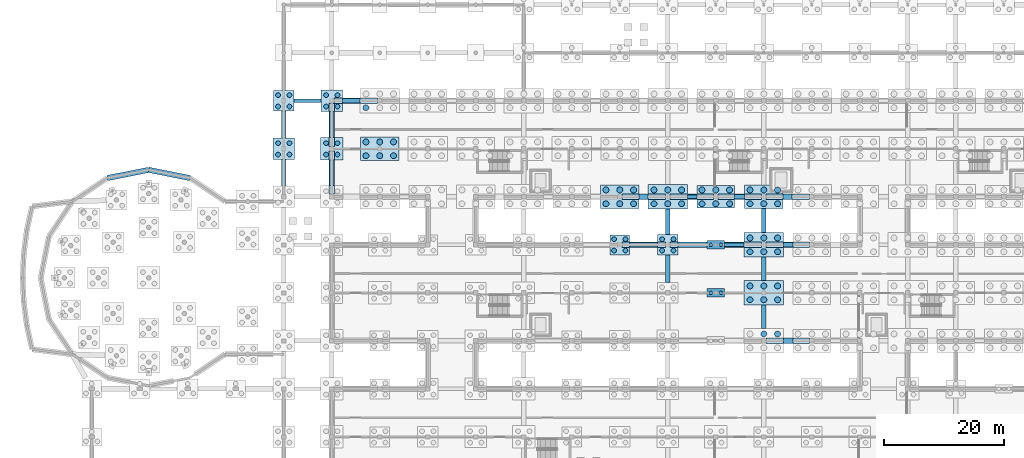
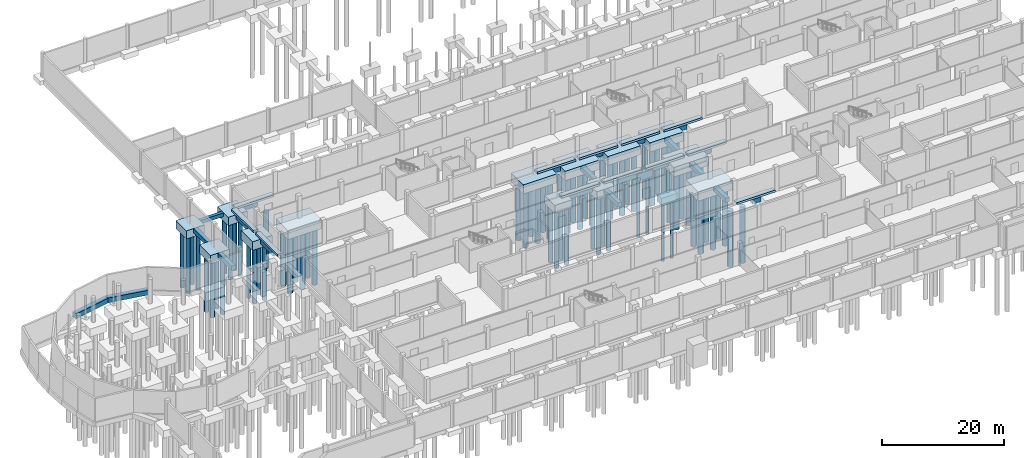
# One storey, part 7 of 51: 73 piles, 49 footings.
"""IFC4 building model written with IfcOpenShell, lengths in metres."""

from ifc_helpers import new_model, si_unit, direction, frame, origin, origin_2d, place, context, subcontext, project, spatial, rectangle, circle, extrude, material, material_profile, profile_set, type_object, element, save


model = new_model("IFC4")

# Units and contexts
model_context = context("Model", 3, precision=1e-05, world=origin(), true_north=direction((0.0, 1.0)))
body_context = subcontext(model_context, "Body", "Model", "MODEL_VIEW")
ifc_project = project(units=[si_unit("LENGTHUNIT", "METRE"), si_unit("AREAUNIT", "SQUARE_METRE"), si_unit("VOLUMEUNIT", "CUBIC_METRE"), si_unit("PLANEANGLEUNIT", "RADIAN"), si_unit("MASSUNIT", "GRAM", prefix="KILO")], contexts=[model_context])

# Site, building, storey
site_placement = place(None, origin())
site = spatial("IfcSite", under=ifc_project, at=site_placement, CompositionType="ELEMENT")
building_placement = place(site_placement, origin())
building = spatial("IfcBuilding", under=site, at=building_placement, Name="Jelvoka-Kovrelna Polytechnic", CompositionType="ELEMENT")
storey_placement = place(building_placement, frame((0.0, 0.0, -4.5)))
storey = spatial("IfcBuildingStorey", under=building, at=storey_placement, Name="B01", CompositionType="ELEMENT", Elevation=-4.5)

# Footings
ifc_material_1 = material(Name="Concrete C35/45", Category="concrete")
footing_type_1 = type_object("IfcFootingType", Name="Footing_PileCap_PC2B", PredefinedType="PILE_CAP", material=ifc_material_1)
for number, where, z_axis, x_axis, name in (
    (1, (120.0, 40.0, -1.85498046875), (0.0, 0.0, 1.0), (1.0, 0.0, 0.0), "Bored pile cap 118 (PC-2)"),
    (2, (120.0, 48.0, -1.85498046875), (0.0, 0.0, 1.0), (1.0, 0.0, 0.0), "Bored pile cap 142 (PC-2)"),
):
    element("IfcFooting", number, at=place(storey_placement, frame(where, z_axis=z_axis, x_axis=x_axis)), inside=storey, type_object=footing_type_1, Name=name, PredefinedType="PILE_CAP", context=body_context, shape_type="SweptSolid", body=[
        extrude(rectangle(XDim=2.949951171875, YDim=1.449951171875, at=origin_2d()), origin(), (0.0, 0.0, 1.0), 1.449951171875),
    ])
ifc_material_2 = material(Name="Concrete C35/45", Category="concrete")
footing_type_2 = type_object("IfcFootingType", Name="Footing_PileCap_PC4A", PredefinedType="PILE_CAP", material=ifc_material_2)
footing_1_placement = place(storey_placement, frame((104.0, 48.0, -2.005126953125), z_axis=(0.0, 0.0, 1.0), x_axis=(1.0, 0.0, 0.0)))
element("IfcFooting", 3, at=footing_1_placement, inside=storey, type_object=footing_type_2, Name="Bored pile cap 140 (PC-4)", PredefinedType="PILE_CAP", context=body_context, shape_type="SweptSolid", body=[
    extrude(rectangle(XDim=3.300048828125, YDim=3.300048828125, at=origin_2d()), origin(), (0.0, 0.0, 1.0), 1.60009765625),
])
ifc_material_3 = material(Name="Concrete C35/45", Category="concrete")
footing_type_3 = type_object("IfcFootingType", Name="Footing_PileCap_PC4B", PredefinedType="PILE_CAP", material=ifc_material_3)
for number, where, z_axis, x_axis, name in (
    (4, (112.0, 48.0, -2.054931640625), (0.0, 0.0, 1.0), (1.0, 0.0, 0.0), "Bored pile cap 141 (PC-4)"),
    (5, (48.0, 72.0, -2.054931640625), (0.0, 0.0, 1.0), (1.0, 0.0, 0.0), "Bored pile cap 201 (PC-4)"),
):
    element("IfcFooting", number, at=place(storey_placement, frame(where, z_axis=z_axis, x_axis=x_axis)), inside=storey, type_object=footing_type_3, Name=name, PredefinedType="PILE_CAP", context=body_context, shape_type="SweptSolid", body=[
        extrude(rectangle(XDim=3.449951171875, YDim=3.449951171875, at=origin_2d()), origin(), (0.0, 0.0, 1.0), 1.64990234375),
    ])
ifc_material_4 = material(Name="Concrete C35/45", Category="concrete")
footing_type_4 = type_object("IfcFootingType", Name="Footing_PileCap_PC4C", PredefinedType="PILE_CAP", material=ifc_material_4)
for number, where, z_axis, x_axis, name in (
    (6, (48.0, 64.0, -2.10498046875), (0.0, 0.0, 1.0), (1.0, 0.0, 0.0), "Bored pile cap 182 (PC-4)"),
    (7, (56.0, 72.0, -2.10498046875), (0.0, 0.0, 1.0), (1.0, 0.0, 0.0), "Bored pile cap 202 (PC-4)"),
):
    element("IfcFooting", number, at=place(storey_placement, frame(where, z_axis=z_axis, x_axis=x_axis)), inside=storey, type_object=footing_type_4, Name=name, PredefinedType="PILE_CAP", context=body_context, shape_type="SweptSolid", body=[
        extrude(rectangle(XDim=3.60009765625, YDim=3.60009765625, at=origin_2d()), origin(), (0.0, 0.0, 1.0), 1.699951171875),
    ])
ifc_material_5 = material(Name="Concrete C35/45", Category="concrete")
footing_type_5 = type_object("IfcFootingType", Name="Footing_PileCap_PC4D", PredefinedType="PILE_CAP", material=ifc_material_5)
footing_2_placement = place(storey_placement, frame((56.0, 64.0, -2.155029296875), z_axis=(0.0, 0.0, 1.0), x_axis=(1.0, 0.0, 0.0)))
element("IfcFooting", 8, at=footing_2_placement, inside=storey, type_object=footing_type_5, Name="Bored pile cap 183 (PC-4)", PredefinedType="PILE_CAP", context=body_context, shape_type="SweptSolid", body=[
    extrude(rectangle(XDim=3.75, YDim=3.75, at=origin_2d()), origin(), (0.0, 0.0, 1.0), 1.75),
])
ifc_material_6 = material(Name="Concrete C35/45", Category="concrete")
footing_type_6 = type_object("IfcFootingType", Name="Footing_PileCap_PC6A", PredefinedType="PILE_CAP", material=ifc_material_6)
footing_3_placement = place(storey_placement, frame((120.0, 56.0, -2.205078125), z_axis=(0.0, 0.0, 1.0), x_axis=(1.0, 0.0, 0.0)))
element("IfcFooting", 9, at=footing_3_placement, inside=storey, type_object=footing_type_6, Name="Bored pile cap 171 (PC-6)", PredefinedType="PILE_CAP", context=body_context, shape_type="SweptSolid", body=[
    extrude(rectangle(XDim=6.199951171875, YDim=3.800048828125, at=origin_2d()), origin(), (0.0, 0.0, 1.0), 1.800048828125),
])
ifc_material_7 = material(Name="Concrete C35/45", Category="concrete")
footing_type_7 = type_object("IfcFootingType", Name="Footing_PileCap_PC6B", PredefinedType="PILE_CAP", material=ifc_material_7)
for number, where, z_axis, x_axis, name in (
    (10, (104.0, 56.0, -2.255126953125), (0.0, 0.0, 1.0), (1.0, 0.0, 0.0), "Bored pile cap 169 (PC-6)"),
    (11, (128.0, 56.0, -2.255126953125), (0.0, 0.0, 1.0), (1.0, 0.0, 0.0), "Bored pile cap 172 (PC-6)"),
    (12, (64.0, 64.0, -2.255126953125), (0.0, 0.0, 1.0), (1.0, 0.0, 0.0), "Bored pile cap 184 (PC-6)"),
):
    element("IfcFooting", number, at=place(storey_placement, frame(where, z_axis=z_axis, x_axis=x_axis)), inside=storey, type_object=footing_type_7, Name=name, PredefinedType="PILE_CAP", context=body_context, shape_type="SweptSolid", body=[
        extrude(rectangle(XDim=6.39990234375, YDim=3.949951171875, at=origin_2d()), origin(), (0.0, 0.0, 1.0), 1.85009765625),
    ])
ifc_material_8 = material(Name="Concrete C35/45", Category="concrete")
footing_type_8 = type_object("IfcFootingType", Name="Footing_PileCap_PC6C", PredefinedType="PILE_CAP", material=ifc_material_8)
for number, where, z_axis, x_axis, name in (
    (13, (128.0, 40.0, -2.304931640625), (0.0, 0.0, 1.0), (1.0, 0.0, 0.0), "Bored pile cap 119 (PC-6)"),
    (14, (128.0, 48.0, -2.304931640625), (0.0, 0.0, 1.0), (1.0, 0.0, 0.0), "Bored pile cap 143 (PC-6)"),
    (15, (112.0, 56.0, -2.304931640625), (0.0, 0.0, 1.0), (1.0, 0.0, 0.0), "Bored pile cap 170 (PC-6)"),
):
    element("IfcFooting", number, at=place(storey_placement, frame(where, z_axis=z_axis, x_axis=x_axis)), inside=storey, type_object=footing_type_8, Name=name, PredefinedType="PILE_CAP", context=body_context, shape_type="SweptSolid", body=[
        extrude(rectangle(XDim=6.60009765625, YDim=4.10009765625, at=origin_2d()), origin(), (0.0, 0.0, 1.0), 1.89990234375),
    ])
ifc_material_9 = material(Name="Concrete C35/45", Category="concrete")
footing_type_9 = type_object("IfcFootingType", Name="Footing_Strip_SF1", PredefinedType="STRIP_FOOTING", material=ifc_material_9)
footing_4_placement = place(storey_placement, frame((51.96240234375, 72.0, -1.155029296875), z_axis=(0.0, 0.0, 1.0), x_axis=(1.0, 0.0, 0.0)))
element("IfcFooting", 16, at=footing_4_placement, inside=storey, type_object=footing_type_9, Name="Strip foundation tie beam 027", PredefinedType="STRIP_FOOTING", context=body_context, shape_type="SweptSolid", body=[
    extrude(rectangle(XDim=4.470947265625, YDim=0.60009765625, at=origin_2d()), origin(), (0.0, 0.0, 1.0), 0.75),
])
footing_5_placement = place(storey_placement, frame((116.10009765625, 56.0, -1.155029296875), z_axis=(0.0, 0.0, 1.0), x_axis=(1.0, 0.0, 0.0)))
element("IfcFooting", 17, at=footing_5_placement, inside=storey, type_object=footing_type_9, Name="Strip foundation tie beam 133", PredefinedType="STRIP_FOOTING", context=body_context, shape_type="SweptSolid", body=[
    extrude(rectangle(XDim=1.595947265625, YDim=0.60009765625, at=origin_2d()), origin(), (0.0, 0.0, 1.0), 0.75),
])
footing_6_placement = place(storey_placement, frame((123.08740234375, 48.0, -1.155029296875), z_axis=(0.0, 0.0, 1.0), x_axis=(1.0, 0.0, 0.0)))
element("IfcFooting", 18, at=footing_6_placement, inside=storey, type_object=footing_type_9, Name="Strip foundation tie beam 146", PredefinedType="STRIP_FOOTING", context=body_context, shape_type="SweptSolid", body=[
    extrude(rectangle(XDim=3.220947265625, YDim=0.60009765625, at=origin_2d()), origin(), (0.0, 0.0, 1.0), 0.75),
])
ifc_material_10 = material(Name="Concrete C35/45", Category="concrete")
footing_type_10 = type_object("IfcFootingType", Name="Footing_Strip_SF2", PredefinedType="STRIP_FOOTING", material=ifc_material_10)
footing_7_placement = place(storey_placement, frame((48.0, 60.0, -1.255126953125), z_axis=(0.0, 0.0, 1.0), x_axis=(0.0, 1.0, 0.0)))
element("IfcFooting", 19, at=footing_7_placement, inside=storey, type_object=footing_type_10, Name="Strip foundation tie beam 025", PredefinedType="STRIP_FOOTING", context=body_context, shape_type="SweptSolid", body=[
    extrude(rectangle(XDim=4.39599609375, YDim=0.75, at=origin_2d()), origin(), (0.0, 0.0, 1.0), 0.85009765625),
])
footing_8_placement = place(storey_placement, frame((48.0, 68.03759765625, -1.255126953125), z_axis=(0.0, 0.0, 1.0), x_axis=(0.0, 1.0, 0.0)))
element("IfcFooting", 20, at=footing_8_placement, inside=storey, type_object=footing_type_10, Name="Strip foundation tie beam 026", PredefinedType="STRIP_FOOTING", context=body_context, shape_type="SweptSolid", body=[
    extrude(rectangle(XDim=4.470947265625, YDim=0.75, at=origin_2d()), origin(), (0.0, 0.0, 1.0), 0.85009765625),
])
footing_9_placement = place(storey_placement, frame((56.0, 60.0, -1.255126953125), z_axis=(0.0, 0.0, 1.0), x_axis=(0.0, 1.0, 0.0)))
element("IfcFooting", 21, at=footing_9_placement, inside=storey, type_object=footing_type_10, Name="Strip foundation tie beam 045", PredefinedType="STRIP_FOOTING", context=body_context, shape_type="SweptSolid", body=[
    extrude(rectangle(XDim=4.24609375, YDim=0.75, at=origin_2d()), origin(), (0.0, 0.0, 1.0), 0.85009765625),
])
footing_10_placement = place(storey_placement, frame((56.0, 68.03759765625, -1.255126953125), z_axis=(0.0, 0.0, 1.0), x_axis=(0.0, 1.0, 0.0)))
element("IfcFooting", 22, at=footing_10_placement, inside=storey, type_object=footing_type_10, Name="Strip foundation tie beam 046", PredefinedType="STRIP_FOOTING", context=body_context, shape_type="SweptSolid", body=[
    extrude(rectangle(XDim=4.321044921875, YDim=0.75, at=origin_2d()), origin(), (0.0, 0.0, 1.0), 0.85009765625),
])
footing_11_placement = place(storey_placement, frame((59.25, 72.0, -1.255126953125), z_axis=(0.0, 0.0, 1.0), x_axis=(1.0, 0.0, 0.0)))
element("IfcFooting", 23, at=footing_11_placement, inside=storey, type_object=footing_type_10, Name="Strip foundation tie beam 047", PredefinedType="STRIP_FOOTING", context=body_context, shape_type="SweptSolid", body=[
    extrude(rectangle(XDim=2.89599609375, YDim=0.75, at=origin_2d()), origin(), (0.0, 0.0, 1.0), 0.85009765625),
])
footing_12_placement = place(storey_placement, frame((107.96240234375, 48.0, -1.255126953125), z_axis=(0.0, 0.0, 1.0), x_axis=(1.0, 0.0, 0.0)))
element("IfcFooting", 24, at=footing_12_placement, inside=storey, type_object=footing_type_10, Name="Strip foundation tie beam 116", PredefinedType="STRIP_FOOTING", context=body_context, shape_type="SweptSolid", body=[
    extrude(rectangle(XDim=4.62109375, YDim=0.75, at=origin_2d()), origin(), (0.0, 0.0, 1.0), 0.85009765625),
])
footing_13_placement = place(storey_placement, frame((112.0, 44.0, -1.255126953125), z_axis=(0.0, 0.0, 1.0), x_axis=(0.0, 1.0, 0.0)))
element("IfcFooting", 25, at=footing_13_placement, inside=storey, type_object=footing_type_10, Name="Strip foundation tie beam 130", PredefinedType="STRIP_FOOTING", context=body_context, shape_type="SweptSolid", body=[
    extrude(rectangle(XDim=4.5458984375, YDim=0.75, at=origin_2d()), origin(), (0.0, 0.0, 1.0), 0.85009765625),
])
footing_14_placement = place(storey_placement, frame((112.0, 51.83740234375, -1.255126953125), z_axis=(0.0, 0.0, 1.0), x_axis=(0.0, 1.0, 0.0)))
element("IfcFooting", 26, at=footing_14_placement, inside=storey, type_object=footing_type_10, Name="Strip foundation tie beam 132", PredefinedType="STRIP_FOOTING", context=body_context, shape_type="SweptSolid", body=[
    extrude(rectangle(XDim=4.220947265625, YDim=0.75, at=origin_2d()), origin(), (0.0, 0.0, 1.0), 0.85009765625),
])
footing_15_placement = place(storey_placement, frame((123.949951171875, 56.0, -1.255126953125), z_axis=(0.0, 0.0, 1.0), x_axis=(1.0, 0.0, 0.0)))
element("IfcFooting", 27, at=footing_15_placement, inside=storey, type_object=footing_type_10, Name="Strip foundation tie beam 147", PredefinedType="STRIP_FOOTING", context=body_context, shape_type="SweptSolid", body=[
    extrude(rectangle(XDim=1.696044921875, YDim=0.75, at=origin_2d()), origin(), (0.0, 0.0, 1.0), 0.85009765625),
])
for number, where, z_axis, x_axis, name in (
    (28, (128.0, 36.0, -1.255126953125), (0.0, 0.0, 1.0), (0.0, 1.0, 0.0), "Strip foundation tie beam 159"),
    (29, (128.0, 44.0, -1.255126953125), (0.0, 0.0, 1.0), (0.0, 1.0, 0.0), "Strip foundation tie beam 160"),
):
    element("IfcFooting", number, at=place(storey_placement, frame(where, z_axis=z_axis, x_axis=x_axis)), inside=storey, type_object=footing_type_10, Name=name, PredefinedType="STRIP_FOOTING", context=body_context, shape_type="SweptSolid", body=[
        extrude(rectangle(XDim=3.89599609375, YDim=0.75, at=origin_2d()), origin(), (0.0, 0.0, 1.0), 0.85009765625),
    ])
footing_16_placement = place(storey_placement, frame((132.10009765625, 48.0, -1.255126953125), z_axis=(0.0, 0.0, 1.0), x_axis=(1.0, 0.0, 0.0)))
element("IfcFooting", 30, at=footing_16_placement, inside=storey, type_object=footing_type_10, Name="Strip foundation tie beam 161", PredefinedType="STRIP_FOOTING", context=body_context, shape_type="SweptSolid", body=[
    extrude(rectangle(XDim=1.595947265625, YDim=0.75, at=origin_2d()), origin(), (0.0, 0.0, 1.0), 0.85009765625),
])
footing_17_placement = place(storey_placement, frame((128.0, 52.03759765625, -1.255126953125), z_axis=(0.0, 0.0, 1.0), x_axis=(0.0, 1.0, 0.0)))
element("IfcFooting", 31, at=footing_17_placement, inside=storey, type_object=footing_type_10, Name="Strip foundation tie beam 162", PredefinedType="STRIP_FOOTING", context=body_context, shape_type="SweptSolid", body=[
    extrude(rectangle(XDim=3.970947265625, YDim=0.75, at=origin_2d()), origin(), (0.0, 0.0, 1.0), 0.85009765625),
])
ifc_material_11 = material(Name="Concrete C35/45", Category="concrete")
footing_type_11 = type_object("IfcFootingType", Name="Footing_Strip_SF3", PredefinedType="STRIP_FOOTING", material=ifc_material_11)
footing_18_placement = place(storey_placement, frame((107.949951171875, 56.0, -1.35498046875), z_axis=(0.0, 0.0, 1.0), x_axis=(1.0, 0.0, 0.0)))
element("IfcFooting", 32, at=footing_18_placement, inside=storey, type_object=footing_type_11, Name="Strip foundation tie beam 117", PredefinedType="STRIP_FOOTING", context=body_context, shape_type="SweptSolid", body=[
    extrude(rectangle(XDim=1.49609375, YDim=0.89990234375, at=origin_2d()), origin(), (0.0, 0.0, 1.0), 0.949951171875),
])
footing_19_placement = place(storey_placement, frame((116.125, 48.0, -1.35498046875), z_axis=(0.0, 0.0, 1.0), x_axis=(1.0, 0.0, 0.0)))
element("IfcFooting", 33, at=footing_19_placement, inside=storey, type_object=footing_type_11, Name="Strip foundation tie beam 131", PredefinedType="STRIP_FOOTING", context=body_context, shape_type="SweptSolid", body=[
    extrude(rectangle(XDim=4.7958984375, YDim=0.89990234375, at=origin_2d()), origin(), (0.0, 0.0, 1.0), 0.949951171875),
])
footing_20_placement = place(storey_placement, frame((132.10009765625, 32.0, -1.35498046875), z_axis=(0.0, 0.0, 1.0), x_axis=(1.0, 0.0, 0.0)))
element("IfcFooting", 34, at=footing_20_placement, inside=storey, type_object=footing_type_11, Name="Strip foundation tie beam 158", PredefinedType="STRIP_FOOTING", context=body_context, shape_type="SweptSolid", body=[
    extrude(rectangle(XDim=1.595947265625, YDim=0.89990234375, at=origin_2d()), origin(), (0.0, 0.0, 1.0), 0.949951171875),
])
footing_21_placement = place(storey_placement, frame((131.949951171875, 56.0, -1.35498046875), z_axis=(0.0, 0.0, 1.0), x_axis=(1.0, 0.0, 0.0)))
element("IfcFooting", 35, at=footing_21_placement, inside=storey, type_object=footing_type_11, Name="Strip foundation tie beam 163", PredefinedType="STRIP_FOOTING", context=body_context, shape_type="SweptSolid", body=[
    extrude(rectangle(XDim=1.49609375, YDim=0.89990234375, at=origin_2d()), origin(), (0.0, 0.0, 1.0), 0.949951171875),
])
for number, where, z_axis, x_axis, name in (
    (36, (28.944091796875, 59.81494140625, -1.35498046875), (0.0, 0.0, 1.0), (-0.980785280403, 0.195090322016, 0.0), "Strip foundation tie beam 302"),
    (37, (22.055908203125, 59.81494140625, -1.35498046875), (0.0, 0.0, 1.0), (0.980785280403, 0.195090322016, 0.0), "Strip foundation tie beam 303"),
):
    element("IfcFooting", number, at=place(storey_placement, frame(where, z_axis=z_axis, x_axis=x_axis)), inside=storey, type_object=footing_type_11, Name=name, PredefinedType="STRIP_FOOTING", context=body_context, shape_type="SweptSolid", body=[
        extrude(rectangle(XDim=7.023193359375, YDim=0.89990234375, at=origin_2d()), origin(), (0.0, 0.0, 1.0), 0.949951171875),
    ])
for number, where, z_axis, x_axis, name in (
    (38, (108.0, 48.0, -0.40478515625), (0.0, 0.0, 1.0), (1.0, 0.0, 0.0), "Strip foundation plinth beam B01W-048"),
    (39, (116.0, 48.0, -0.40478515625), (0.0, 0.0, 1.0), (1.0, 0.0, 0.0), "Strip foundation plinth beam B01W-050"),
    (40, (124.0, 48.0, -0.40478515625), (0.0, 0.0, 1.0), (1.0, 0.0, 0.0), "Strip foundation plinth beam B01W-052"),
    (41, (132.0, 32.0, -0.40478515625), (0.0, 0.0, 1.0), (1.0, 0.0, 0.0), "Strip foundation plinth beam B01W-053"),
    (42, (132.0, 48.0, -0.40478515625), (0.0, 0.0, 1.0), (1.0, 0.0, 0.0), "Strip foundation plinth beam B01W-054"),
    (43, (60.0, 72.0, -0.40478515625), (0.0, 0.0, 1.0), (1.0, 0.0, 0.0), "Strip foundation plinth beam B01W-072"),
    (44, (108.0, 56.0, -0.40478515625), (0.0, 0.0, 1.0), (1.0, 0.0, 0.0), "Strip foundation plinth beam B01W-082"),
    (45, (116.0, 56.0, -0.40478515625), (0.0, 0.0, 1.0), (1.0, 0.0, 0.0), "Strip foundation plinth beam B01W-084"),
    (46, (124.0, 56.0, -0.40478515625), (0.0, 0.0, 1.0), (1.0, 0.0, 0.0), "Strip foundation plinth beam B01W-086"),
    (47, (132.0, 56.0, -0.40478515625), (0.0, 0.0, 1.0), (1.0, 0.0, 0.0), "Strip foundation plinth beam B01W-088"),
):
    element("IfcFooting", number, at=place(storey_placement, frame(where, z_axis=z_axis, x_axis=x_axis)), inside=storey, type_object=footing_type_11, Name=name, PredefinedType="STRIP_FOOTING", context=body_context, shape_type="SweptSolid", body=[
        extrude(rectangle(XDim=7.300048828125, YDim=0.89990234375, at=origin_2d()), origin(), (0.0, 0.0, 1.0), 0.405029296875),
    ])
for number, where, z_axis, x_axis, name in (
    (48, (56.0, 60.051025390625, -0.40478515625), (0.0, 0.0, 1.0), (0.0, 1.0, 0.0), "Strip foundation plinth beam B01W-103"),
    (49, (56.0, 67.948974609375, -0.40478515625), (0.0, 0.0, 1.0), (0.0, 1.0, 0.0), "Strip foundation plinth beam B01W-105"),
):
    element("IfcFooting", number, at=place(storey_placement, frame(where, z_axis=z_axis, x_axis=x_axis)), inside=storey, type_object=footing_type_11, Name=name, PredefinedType="STRIP_FOOTING", context=body_context, shape_type="SweptSolid", body=[
        extrude(rectangle(XDim=7.197998046875, YDim=0.89990234375, at=origin_2d()), origin(), (0.0, 0.0, 1.0), 0.405029296875),
    ])

# Piles
ifc_material_12 = material(Name="Concrete C35/45", Category="concrete")
ifc_material_profile_1 = material_profile(ifc_material_12, circle(Radius=0.5, at=origin_2d()), Name="PILE D1000")
ifc_profile_set_1 = profile_set([ifc_material_profile_1], Name="Concrete C35/45")
pile_type_1 = type_object("IfcPileType", Name="Pile_Bored_1000", PredefinedType="BORED", material=ifc_profile_set_1)
for number, where, z_axis, x_axis, name in (
    (50, (128.0, 33.14990234375, -2.205078125), (0.0, 0.0, -1.0), (1.0, 0.0, 0.0), "Bored concrete pile 092-5"),
    (51, (130.300048828125, 33.14990234375, -2.205078125), (0.0, 0.0, -1.0), (1.0, 0.0, 0.0), "Bored concrete pile 092-6"),
    (52, (125.699951171875, 38.85009765625, -2.205078125), (0.0, 0.0, -1.0), (1.0, 0.0, 0.0), "Bored concrete pile 119-1"),
    (53, (128.0, 38.85009765625, -2.205078125), (0.0, 0.0, -1.0), (1.0, 0.0, 0.0), "Bored concrete pile 119-2"),
    (54, (130.300048828125, 38.85009765625, -2.205078125), (0.0, 0.0, -1.0), (1.0, 0.0, 0.0), "Bored concrete pile 119-3"),
    (55, (125.699951171875, 41.14990234375, -2.205078125), (0.0, 0.0, -1.0), (1.0, 0.0, 0.0), "Bored concrete pile 119-4"),
    (56, (128.0, 41.14990234375, -2.205078125), (0.0, 0.0, -1.0), (1.0, 0.0, 0.0), "Bored concrete pile 119-5"),
    (57, (130.300048828125, 41.14990234375, -2.205078125), (0.0, 0.0, -1.0), (1.0, 0.0, 0.0), "Bored concrete pile 119-6"),
    (58, (125.699951171875, 46.85009765625, -2.205078125), (0.0, 0.0, -1.0), (1.0, 0.0, 0.0), "Bored concrete pile 143-1"),
    (59, (128.0, 46.85009765625, -2.205078125), (0.0, 0.0, -1.0), (1.0, 0.0, 0.0), "Bored concrete pile 143-2"),
    (60, (130.300048828125, 46.85009765625, -2.205078125), (0.0, 0.0, -1.0), (1.0, 0.0, 0.0), "Bored concrete pile 143-3"),
    (61, (125.699951171875, 49.14990234375, -2.205078125), (0.0, 0.0, -1.0), (1.0, 0.0, 0.0), "Bored concrete pile 143-4"),
    (62, (128.0, 49.14990234375, -2.205078125), (0.0, 0.0, -1.0), (1.0, 0.0, 0.0), "Bored concrete pile 143-5"),
    (63, (130.300048828125, 49.14990234375, -2.205078125), (0.0, 0.0, -1.0), (1.0, 0.0, 0.0), "Bored concrete pile 143-6"),
):
    element("IfcPile", number, at=place(storey_placement, frame(where, z_axis=z_axis, x_axis=x_axis)), inside=storey, type_object=pile_type_1, Name=name, PredefinedType="BORED", context=body_context, shape_type="SweptSolid", body=[
        extrude(circle(Radius=0.5, at=origin_2d()), origin(), (0.0, 0.0, 1.0), 11.294921875),
    ])
for number, where, z_axis, x_axis, name in (
    (64, (101.699951171875, 54.85009765625, -2.155029296875), (0.0, 0.0, -1.0), (1.0, 0.0, 0.0), "Bored concrete pile 169-1"),
    (65, (104.0, 54.85009765625, -2.155029296875), (0.0, 0.0, -1.0), (1.0, 0.0, 0.0), "Bored concrete pile 169-2"),
    (66, (106.300048828125, 54.85009765625, -2.155029296875), (0.0, 0.0, -1.0), (1.0, 0.0, 0.0), "Bored concrete pile 169-3"),
    (67, (101.699951171875, 57.14990234375, -2.155029296875), (0.0, 0.0, -1.0), (1.0, 0.0, 0.0), "Bored concrete pile 169-4"),
    (68, (104.0, 57.14990234375, -2.155029296875), (0.0, 0.0, -1.0), (1.0, 0.0, 0.0), "Bored concrete pile 169-5"),
    (69, (106.300048828125, 57.14990234375, -2.155029296875), (0.0, 0.0, -1.0), (1.0, 0.0, 0.0), "Bored concrete pile 169-6"),
):
    element("IfcPile", number, at=place(storey_placement, frame(where, z_axis=z_axis, x_axis=x_axis)), inside=storey, type_object=pile_type_1, Name=name, PredefinedType="BORED", context=body_context, shape_type="SweptSolid", body=[
        extrude(circle(Radius=0.5, at=origin_2d()), origin(), (0.0, 0.0, 1.0), 11.344970703125),
    ])
for number, where, z_axis, x_axis, name in (
    (70, (109.699951171875, 54.85009765625, -2.205078125), (0.0, 0.0, -1.0), (1.0, 0.0, 0.0), "Bored concrete pile 170-1"),
    (71, (112.0, 54.85009765625, -2.205078125), (0.0, 0.0, -1.0), (1.0, 0.0, 0.0), "Bored concrete pile 170-2"),
    (72, (114.300048828125, 54.85009765625, -2.205078125), (0.0, 0.0, -1.0), (1.0, 0.0, 0.0), "Bored concrete pile 170-3"),
    (73, (109.699951171875, 57.14990234375, -2.205078125), (0.0, 0.0, -1.0), (1.0, 0.0, 0.0), "Bored concrete pile 170-4"),
    (74, (112.0, 57.14990234375, -2.205078125), (0.0, 0.0, -1.0), (1.0, 0.0, 0.0), "Bored concrete pile 170-5"),
    (75, (114.300048828125, 57.14990234375, -2.205078125), (0.0, 0.0, -1.0), (1.0, 0.0, 0.0), "Bored concrete pile 170-6"),
):
    element("IfcPile", number, at=place(storey_placement, frame(where, z_axis=z_axis, x_axis=x_axis)), inside=storey, type_object=pile_type_1, Name=name, PredefinedType="BORED", context=body_context, shape_type="SweptSolid", body=[
        extrude(circle(Radius=0.5, at=origin_2d()), origin(), (0.0, 0.0, 1.0), 11.294921875),
    ])
for number, where, z_axis, x_axis, name in (
    (76, (117.699951171875, 54.85009765625, -2.10498046875), (0.0, 0.0, -1.0), (1.0, 0.0, 0.0), "Bored concrete pile 171-1"),
    (77, (120.0, 54.85009765625, -2.10498046875), (0.0, 0.0, -1.0), (1.0, 0.0, 0.0), "Bored concrete pile 171-2"),
    (78, (122.300048828125, 54.85009765625, -2.10498046875), (0.0, 0.0, -1.0), (1.0, 0.0, 0.0), "Bored concrete pile 171-3"),
    (79, (117.699951171875, 57.14990234375, -2.10498046875), (0.0, 0.0, -1.0), (1.0, 0.0, 0.0), "Bored concrete pile 171-4"),
    (80, (120.0, 57.14990234375, -2.10498046875), (0.0, 0.0, -1.0), (1.0, 0.0, 0.0), "Bored concrete pile 171-5"),
    (81, (122.300048828125, 57.14990234375, -2.10498046875), (0.0, 0.0, -1.0), (1.0, 0.0, 0.0), "Bored concrete pile 171-6"),
):
    element("IfcPile", number, at=place(storey_placement, frame(where, z_axis=z_axis, x_axis=x_axis)), inside=storey, type_object=pile_type_1, Name=name, PredefinedType="BORED", context=body_context, shape_type="SweptSolid", body=[
        extrude(circle(Radius=0.5, at=origin_2d()), origin(), (0.0, 0.0, 1.0), 11.39501953125),
    ])
for number, where, z_axis, x_axis, name in (
    (82, (125.699951171875, 54.85009765625, -2.155029296875), (0.0, 0.0, -1.0), (1.0, 0.0, 0.0), "Bored concrete pile 172-1"),
    (83, (128.0, 54.85009765625, -2.155029296875), (0.0, 0.0, -1.0), (1.0, 0.0, 0.0), "Bored concrete pile 172-2"),
    (84, (130.300048828125, 54.85009765625, -2.155029296875), (0.0, 0.0, -1.0), (1.0, 0.0, 0.0), "Bored concrete pile 172-3"),
    (85, (125.699951171875, 57.14990234375, -2.155029296875), (0.0, 0.0, -1.0), (1.0, 0.0, 0.0), "Bored concrete pile 172-4"),
    (86, (128.0, 57.14990234375, -2.155029296875), (0.0, 0.0, -1.0), (1.0, 0.0, 0.0), "Bored concrete pile 172-5"),
    (87, (130.300048828125, 57.14990234375, -2.155029296875), (0.0, 0.0, -1.0), (1.0, 0.0, 0.0), "Bored concrete pile 172-6"),
    (88, (61.699951171875, 62.85009765625, -2.155029296875), (0.0, 0.0, -1.0), (1.0, 0.0, 0.0), "Bored concrete pile 184-1"),
    (89, (64.0, 62.85009765625, -2.155029296875), (0.0, 0.0, -1.0), (1.0, 0.0, 0.0), "Bored concrete pile 184-2"),
    (90, (66.300048828125, 62.85009765625, -2.155029296875), (0.0, 0.0, -1.0), (1.0, 0.0, 0.0), "Bored concrete pile 184-3"),
    (91, (61.699951171875, 65.14990234375, -2.155029296875), (0.0, 0.0, -1.0), (1.0, 0.0, 0.0), "Bored concrete pile 184-4"),
    (92, (64.0, 65.14990234375, -2.155029296875), (0.0, 0.0, -1.0), (1.0, 0.0, 0.0), "Bored concrete pile 184-5"),
    (93, (66.300048828125, 65.14990234375, -2.155029296875), (0.0, 0.0, -1.0), (1.0, 0.0, 0.0), "Bored concrete pile 184-6"),
):
    element("IfcPile", number, at=place(storey_placement, frame(where, z_axis=z_axis, x_axis=x_axis)), inside=storey, type_object=pile_type_1, Name=name, PredefinedType="BORED", context=body_context, shape_type="SweptSolid", body=[
        extrude(circle(Radius=0.5, at=origin_2d()), origin(), (0.0, 0.0, 1.0), 11.344970703125),
    ])
pile_placement = place(storey_placement, frame((61.699951171875, 70.85009765625, -2.205078125), z_axis=(0.0, 0.0, -1.0), x_axis=(1.0, 0.0, 0.0)))
element("IfcPile", 94, at=pile_placement, inside=storey, type_object=pile_type_1, Name="Bored concrete pile 203-1", PredefinedType="BORED", context=body_context, shape_type="SweptSolid", body=[
    extrude(circle(Radius=0.5, at=origin_2d()), origin(), (0.0, 0.0, 1.0), 11.294921875),
])
ifc_material_13 = material(Name="Concrete C35/45", Category="concrete")
ifc_material_profile_2 = material_profile(ifc_material_13, circle(Radius=0.300048828125, at=origin_2d()), Name="PILE D600")
ifc_profile_set_2 = profile_set([ifc_material_profile_2], Name="Concrete C35/45")
pile_type_2 = type_object("IfcPileType", Name="Pile_Bored_600", PredefinedType="BORED", material=ifc_profile_set_2)
for number, where, z_axis, x_axis, name in (
    (95, (119.14990234375, 40.0, -1.7548828125), (0.0, 0.0, -1.0), (1.0, 0.0, 0.0), "Bored concrete pile 118-1"),
    (96, (120.85009765625, 40.0, -1.7548828125), (0.0, 0.0, -1.0), (1.0, 0.0, 0.0), "Bored concrete pile 118-2"),
    (97, (119.14990234375, 48.0, -1.7548828125), (0.0, 0.0, -1.0), (1.0, 0.0, 0.0), "Bored concrete pile 142-1"),
    (98, (120.85009765625, 48.0, -1.7548828125), (0.0, 0.0, -1.0), (1.0, 0.0, 0.0), "Bored concrete pile 142-2"),
):
    element("IfcPile", number, at=place(storey_placement, frame(where, z_axis=z_axis, x_axis=x_axis)), inside=storey, type_object=pile_type_2, Name=name, PredefinedType="BORED", context=body_context, shape_type="SweptSolid", body=[
        extrude(circle(Radius=0.300048828125, at=origin_2d()), origin(), (0.0, 0.0, 1.0), 11.7451171875),
    ])
ifc_material_14 = material(Name="Concrete C35/45", Category="concrete")
ifc_material_profile_3 = material_profile(ifc_material_14, circle(Radius=0.39990234375, at=origin_2d()), Name="PILE D800")
ifc_profile_set_3 = profile_set([ifc_material_profile_3], Name="Concrete C35/45")
pile_type_3 = type_object("IfcPileType", Name="Pile_Bored_800", PredefinedType="BORED", material=ifc_profile_set_3)
for number, where, z_axis, x_axis, name in (
    (99, (103.050048828125, 47.050048828125, -1.905029296875), (0.0, 0.0, -1.0), (1.0, 0.0, 0.0), "Bored concrete pile 140-1"),
    (100, (104.949951171875, 47.050048828125, -1.905029296875), (0.0, 0.0, -1.0), (1.0, 0.0, 0.0), "Bored concrete pile 140-2"),
    (101, (103.050048828125, 48.949951171875, -1.905029296875), (0.0, 0.0, -1.0), (1.0, 0.0, 0.0), "Bored concrete pile 140-3"),
    (102, (104.949951171875, 48.949951171875, -1.905029296875), (0.0, 0.0, -1.0), (1.0, 0.0, 0.0), "Bored concrete pile 140-4"),
):
    element("IfcPile", number, at=place(storey_placement, frame(where, z_axis=z_axis, x_axis=x_axis)), inside=storey, type_object=pile_type_3, Name=name, PredefinedType="BORED", context=body_context, shape_type="SweptSolid", body=[
        extrude(circle(Radius=0.39990234375, at=origin_2d()), origin(), (0.0, 0.0, 1.0), 11.594970703125),
    ])
for number, where, z_axis, x_axis, name in (
    (103, (111.050048828125, 47.050048828125, -1.955078125), (0.0, 0.0, -1.0), (1.0, 0.0, 0.0), "Bored concrete pile 141-1"),
    (104, (112.949951171875, 47.050048828125, -1.955078125), (0.0, 0.0, -1.0), (1.0, 0.0, 0.0), "Bored concrete pile 141-2"),
    (105, (111.050048828125, 48.949951171875, -1.955078125), (0.0, 0.0, -1.0), (1.0, 0.0, 0.0), "Bored concrete pile 141-3"),
    (106, (112.949951171875, 48.949951171875, -1.955078125), (0.0, 0.0, -1.0), (1.0, 0.0, 0.0), "Bored concrete pile 141-4"),
):
    element("IfcPile", number, at=place(storey_placement, frame(where, z_axis=z_axis, x_axis=x_axis)), inside=storey, type_object=pile_type_3, Name=name, PredefinedType="BORED", context=body_context, shape_type="SweptSolid", body=[
        extrude(circle(Radius=0.39990234375, at=origin_2d()), origin(), (0.0, 0.0, 1.0), 11.544921875),
    ])
for number, where, z_axis, x_axis, name in (
    (107, (47.050048828125, 63.050048828125, -2.0048828125), (0.0, 0.0, -1.0), (1.0, 0.0, 0.0), "Bored concrete pile 182-1"),
    (108, (48.949951171875, 63.050048828125, -2.0048828125), (0.0, 0.0, -1.0), (1.0, 0.0, 0.0), "Bored concrete pile 182-2"),
    (109, (47.050048828125, 64.949951171875, -2.0048828125), (0.0, 0.0, -1.0), (1.0, 0.0, 0.0), "Bored concrete pile 182-3"),
    (110, (48.949951171875, 64.949951171875, -2.0048828125), (0.0, 0.0, -1.0), (1.0, 0.0, 0.0), "Bored concrete pile 182-4"),
):
    element("IfcPile", number, at=place(storey_placement, frame(where, z_axis=z_axis, x_axis=x_axis)), inside=storey, type_object=pile_type_3, Name=name, PredefinedType="BORED", context=body_context, shape_type="SweptSolid", body=[
        extrude(circle(Radius=0.39990234375, at=origin_2d()), origin(), (0.0, 0.0, 1.0), 11.4951171875),
    ])
for number, where, z_axis, x_axis, name in (
    (111, (55.050048828125, 63.050048828125, -2.054931640625), (0.0, 0.0, -1.0), (1.0, 0.0, 0.0), "Bored concrete pile 183-1"),
    (112, (56.949951171875, 63.050048828125, -2.054931640625), (0.0, 0.0, -1.0), (1.0, 0.0, 0.0), "Bored concrete pile 183-2"),
    (113, (55.050048828125, 64.949951171875, -2.054931640625), (0.0, 0.0, -1.0), (1.0, 0.0, 0.0), "Bored concrete pile 183-3"),
    (114, (56.949951171875, 64.949951171875, -2.054931640625), (0.0, 0.0, -1.0), (1.0, 0.0, 0.0), "Bored concrete pile 183-4"),
):
    element("IfcPile", number, at=place(storey_placement, frame(where, z_axis=z_axis, x_axis=x_axis)), inside=storey, type_object=pile_type_3, Name=name, PredefinedType="BORED", context=body_context, shape_type="SweptSolid", body=[
        extrude(circle(Radius=0.39990234375, at=origin_2d()), origin(), (0.0, 0.0, 1.0), 11.445068359375),
    ])
for number, where, z_axis, x_axis, name in (
    (115, (47.050048828125, 71.050048828125, -1.955078125), (0.0, 0.0, -1.0), (1.0, 0.0, 0.0), "Bored concrete pile 201-1"),
    (116, (48.949951171875, 71.050048828125, -1.955078125), (0.0, 0.0, -1.0), (1.0, 0.0, 0.0), "Bored concrete pile 201-2"),
    (117, (47.050048828125, 72.949951171875, -1.955078125), (0.0, 0.0, -1.0), (1.0, 0.0, 0.0), "Bored concrete pile 201-3"),
    (118, (48.949951171875, 72.949951171875, -1.955078125), (0.0, 0.0, -1.0), (1.0, 0.0, 0.0), "Bored concrete pile 201-4"),
):
    element("IfcPile", number, at=place(storey_placement, frame(where, z_axis=z_axis, x_axis=x_axis)), inside=storey, type_object=pile_type_3, Name=name, PredefinedType="BORED", context=body_context, shape_type="SweptSolid", body=[
        extrude(circle(Radius=0.39990234375, at=origin_2d()), origin(), (0.0, 0.0, 1.0), 11.544921875),
    ])
for number, where, z_axis, x_axis, name in (
    (119, (55.050048828125, 71.050048828125, -2.0048828125), (0.0, 0.0, -1.0), (1.0, 0.0, 0.0), "Bored concrete pile 202-1"),
    (120, (56.949951171875, 71.050048828125, -2.0048828125), (0.0, 0.0, -1.0), (1.0, 0.0, 0.0), "Bored concrete pile 202-2"),
    (121, (55.050048828125, 72.949951171875, -2.0048828125), (0.0, 0.0, -1.0), (1.0, 0.0, 0.0), "Bored concrete pile 202-3"),
    (122, (56.949951171875, 72.949951171875, -2.0048828125), (0.0, 0.0, -1.0), (1.0, 0.0, 0.0), "Bored concrete pile 202-4"),
):
    element("IfcPile", number, at=place(storey_placement, frame(where, z_axis=z_axis, x_axis=x_axis)), inside=storey, type_object=pile_type_3, Name=name, PredefinedType="BORED", context=body_context, shape_type="SweptSolid", body=[
        extrude(circle(Radius=0.39990234375, at=origin_2d()), origin(), (0.0, 0.0, 1.0), 11.4951171875),
    ])

save(model, "model.ifc")
